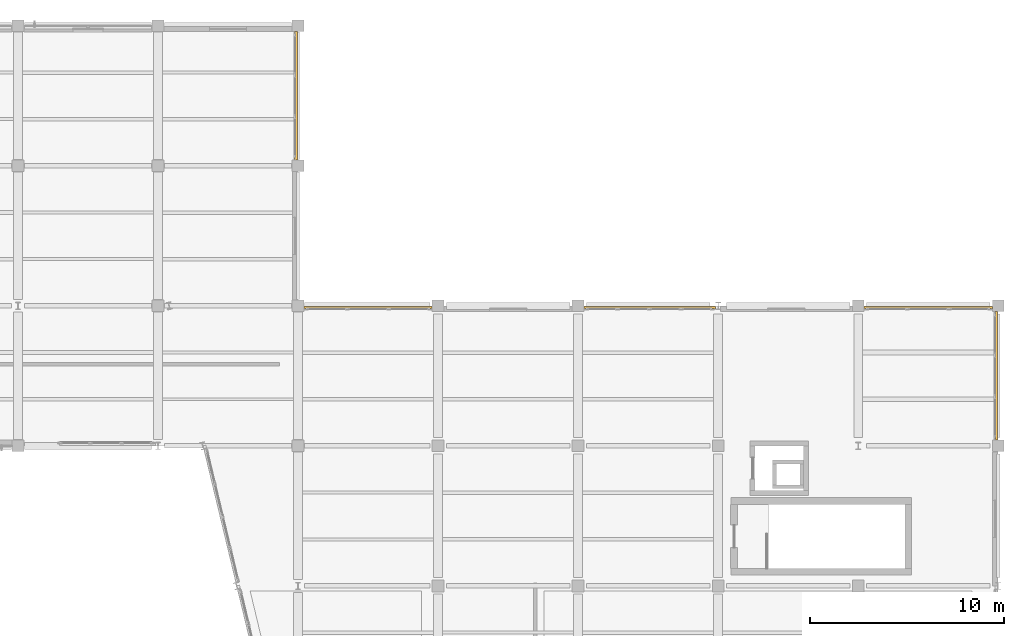
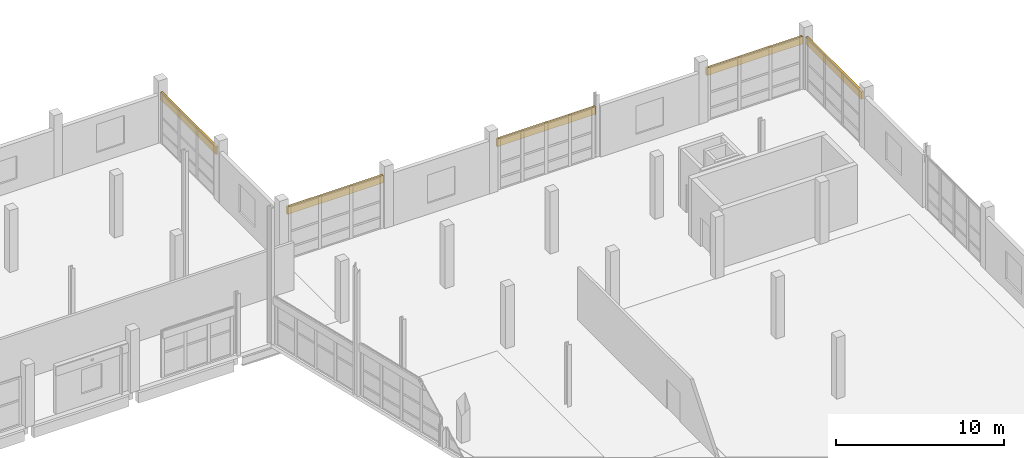
# One storey, part 123 of 123: 5 shading devices.
"""IFC4 building model written with IfcOpenShell, lengths in metres."""

import ifcopenshell
import ifcopenshell.guid

model = None  # the IFC model being written
_history = None  # IfcOwnerHistory: only IFC2X3 demands one
_inside = {}  # id of a spatial element -> (the spatial element, [elements in it])
_under = {}  # id of a project, library or spatial element -> (it, [spatial elements below it])
_declared = {}  # id of a project -> (the project, [libraries it declares])
_typed = {}  # id of a type object -> (the type object, [elements of that type])
_made_of = {}  # id of a material, layer set ... -> (it, [elements and type objects made of it])


def new_model(schema):
    """Start an empty IFC model of exactly this schema.

    Asked for "IFC4X3", IfcOpenShell would pick the latest addendum, in which some entities
    have other attributes; the version numbers below select the first issue.
    IFC2X3 requires an IfcOwnerHistory on every rooted entity: one is made here for all.
    """
    global model, _history
    if schema == "IFC4X3":
        model = ifcopenshell.file(schema_version=(4, 3, 0, 0))
    else:
        model = ifcopenshell.file(schema=schema)
    _inside.clear()
    _under.clear()
    _declared.clear()
    _typed.clear()
    _made_of.clear()
    _history = None
    if model.schema == "IFC2X3":
        org = make("IfcOrganization", Name="unknown")
        user = make(
            "IfcPersonAndOrganization",
            ThePerson=make("IfcPerson", FamilyName="unknown"),
            TheOrganization=org,
        )
        app = make(
            "IfcApplication",
            ApplicationDeveloper=org,
            Version="unknown",
            ApplicationFullName="unknown",
            ApplicationIdentifier="unknown",
        )
        _history = make(
            "IfcOwnerHistory",
            OwningUser=user,
            OwningApplication=app,
            ChangeAction="ADDED",
            CreationDate=0,
        )
    return model


def make(cls, **values):
    """One entity of the class cls with the attributes given. An attribute that is None is left unset."""
    return model.create_entity(
        cls, **{name: value for name, value in values.items() if value is not None}
    )


def rooted(cls, **values):
    """An entity with a GlobalId (a new one), such as an element, a storey or a relation."""
    return make(cls, GlobalId=ifcopenshell.guid.new(), OwnerHistory=_history, **values)


def si_unit(unit_type, name, prefix=None):
    """IfcSIUnit, for example si_unit("LENGTHUNIT", "METRE", prefix="MILLI")."""
    return make("IfcSIUnit", UnitType=unit_type, Prefix=prefix, Name=name)


def assignment(units):
    """IfcUnitAssignment: the units of a project."""
    return None if units is None else make("IfcUnitAssignment", Units=units)


def point(xyz):
    """IfcCartesianPoint."""
    return None if xyz is None else make("IfcCartesianPoint", Coordinates=xyz)


def direction(xyz):
    """IfcDirection."""
    return None if xyz is None else make("IfcDirection", DirectionRatios=xyz)


def frame(location, z_axis=None, x_axis=None):
    """IfcAxis2Placement3D, a coordinate frame: its origin and axes. An axis left out is left unset."""
    return make(
        "IfcAxis2Placement3D",
        Location=point(location),
        Axis=direction(z_axis),
        RefDirection=direction(x_axis),
    )


def frame_2d(location, x_axis=None):
    """IfcAxis2Placement2D, a coordinate frame in the plane: its origin and x axis."""
    return make(
        "IfcAxis2Placement2D", Location=point(location), RefDirection=direction(x_axis)
    )


def origin():
    """The frame at (0, 0, 0) with its axes left unset."""
    return frame((0.0, 0.0, 0.0))


def origin_2d():
    """The frame at (0, 0) in the plane with its x axis left unset."""
    return frame_2d((0.0, 0.0))


def place(relative_to, where):
    """IfcLocalPlacement: puts the frame where relative to a parent placement (None: the world)."""
    return make(
        "IfcLocalPlacement", PlacementRelTo=relative_to, RelativePlacement=where
    )


def context(
    kind, dimensions, precision=None, world=None, true_north=None, identifier=None
):
    """IfcGeometricRepresentationContext, for example the 3D "Model" context."""
    return make(
        "IfcGeometricRepresentationContext",
        ContextIdentifier=identifier,
        ContextType=kind,
        CoordinateSpaceDimension=dimensions,
        Precision=precision,
        WorldCoordinateSystem=world,
        TrueNorth=true_north,
    )


def subcontext(parent, identifier, kind, view, scale=None):
    """IfcGeometricRepresentationSubContext, for example "Body" below "Model"."""
    return make(
        "IfcGeometricRepresentationSubContext",
        ContextIdentifier=identifier,
        ContextType=kind,
        ParentContext=parent,
        TargetScale=scale,
        TargetView=view,
    )


def project(units=None, contexts=None):
    """IfcProject with its units and contexts."""
    return rooted(
        "IfcProject",
        Name="project",
        RepresentationContexts=contexts,
        UnitsInContext=assignment(units),
    )


def spatial(cls, under=None, at=None, **own):
    """A site, building, storey or space (cls), placed at a placement, below another one or the project."""
    s = rooted(cls, ObjectPlacement=at, **own)
    if under is not None:
        _under.setdefault(under.id(), (under, []))[1].append(s)
    return s


def profile(cls, at=None, kind="AREA", **sizes):
    """A parametric profile (cls). Its sizes go by their IFC names, for example OverallWidth=200.0."""
    return make(cls, ProfileType=kind, Position=at, **sizes)


def rectangle(**sizes):
    """IfcRectangleProfileDef."""
    return profile("IfcRectangleProfileDef", **sizes)


def extrude(swept, where, along, depth):
    """IfcExtrudedAreaSolid: the profile swept, set in the frame where, extruded along a direction by depth."""
    return make(
        "IfcExtrudedAreaSolid",
        SweptArea=swept,
        Position=where,
        ExtrudedDirection=direction(along),
        Depth=depth,
    )


def shape(context_of_items, identifier, shape_type, items):
    """IfcShapeRepresentation: the items that make up one representation, for example the "Body"."""
    return make(
        "IfcShapeRepresentation",
        ContextOfItems=context_of_items,
        RepresentationIdentifier=identifier,
        RepresentationType=shape_type,
        Items=items,
    )


def material(Name=None, Category=None):
    """IfcMaterial."""
    return make("IfcMaterial", Name=Name, Category=Category)


def layer(
    of_material, thickness, ventilated=None, Name=None, Category=None, Priority=None
):
    """IfcMaterialLayer: one layer of a wall or slab, of a material (None: an air gap)."""
    return make(
        "IfcMaterialLayer",
        Material=of_material,
        LayerThickness=thickness,
        IsVentilated=ventilated,
        Name=Name,
        Category=Category,
        Priority=Priority,
    )


def layer_set(layers, Name=None):
    """IfcMaterialLayerSet."""
    return make("IfcMaterialLayerSet", MaterialLayers=layers, LayerSetName=Name)


def made_of(thing, what):
    """Note that an element or type object is made of a material, layer set ...; save() writes the relation."""
    if what is not None:
        _made_of.setdefault(what.id(), (what, []))[1].append(thing)
    return thing


def type_object(cls, material=None, **own):
    """A type object (cls), such as IfcWallType, which elements share."""
    return made_of(rooted(cls, **own), material)


def element(
    cls,
    number,
    at=None,
    inside=None,
    cuts=None,
    type_object=None,
    material=None,
    context=None,
    identifier="Body",
    shape_type=None,
    held_by="IfcProductDefinitionShape",
    body=None,
    shapes=None,
    **own,
):
    """One element of the class cls, such as IfcWall. Its Tag is "e" and its number.

    at: its placement. inside: the storey or other place that contains it. cuts: it is an
    opening in that element (IfcRelVoidsElement). A single representation is given by context,
    identifier, shape_type and body (its items); several are given by shapes. held_by: the class
    of the entity that holds the representations. save() writes the other relations.
    """
    e = rooted(cls, Tag="e%d" % number, ObjectPlacement=at, **own)
    if body is not None:
        shapes = [shape(context, identifier, shape_type, body)]
    if shapes is not None:
        e.Representation = make(held_by, Representations=shapes)
    if inside is not None:
        _inside.setdefault(inside.id(), (inside, []))[1].append(e)
    if cuts is not None:
        rooted(
            "IfcRelVoidsElement", RelatingBuildingElement=cuts, RelatedOpeningElement=e
        )
    if type_object is not None:
        _typed.setdefault(type_object.id(), (type_object, []))[1].append(e)
    return made_of(e, material)


def aggregate(whole, parts):
    """IfcRelAggregates: a whole, such as a stair, and the parts it consists of."""
    return rooted("IfcRelAggregates", RelatingObject=whole, RelatedObjects=parts)


def save(model, path):
    """Write the relations noted so far, then the file.

    IfcRelAggregates (storeys below a building ...), IfcRelContainedInSpatialStructure (elements
    in a storey), IfcRelDefinesByType, IfcRelAssociatesMaterial and IfcRelDeclares: one each for
    every whole, place, type object, material and project.
    """
    for whole, parts in _under.values():
        aggregate(whole, parts)
    for where, things in _inside.values():
        rooted(
            "IfcRelContainedInSpatialStructure",
            RelatedElements=things,
            RelatingStructure=where,
        )
    for kind, things in _typed.values():
        rooted("IfcRelDefinesByType", RelatedObjects=things, RelatingType=kind)
    for what, things in _made_of.values():
        rooted("IfcRelAssociatesMaterial", RelatedObjects=things, RelatingMaterial=what)
    for by, libraries in _declared.values():
        rooted("IfcRelDeclares", RelatingContext=by, RelatedDefinitions=libraries)
    model.write(path)


model = new_model("IFC4")

# Units and contexts
model_context = context("Model", 3, precision=1e-05, world=origin(), true_north=direction((0.0, 1.0)))
body_context = subcontext(model_context, "Body", "Model", "MODEL_VIEW")
ifc_project = project(units=[si_unit("LENGTHUNIT", "METRE"), si_unit("AREAUNIT", "SQUARE_METRE"), si_unit("VOLUMEUNIT", "CUBIC_METRE"), si_unit("PLANEANGLEUNIT", "RADIAN"), si_unit("MASSUNIT", "GRAM", prefix="KILO")], contexts=[model_context])

# Site, building, storey
site_placement = place(None, origin())
site = spatial("IfcSite", under=ifc_project, at=site_placement, CompositionType="ELEMENT")
building_placement = place(site_placement, origin())
building = spatial("IfcBuilding", under=site, at=building_placement, Name="Kalmorath City Hall", CompositionType="ELEMENT")
storey_placement = place(building_placement, frame((0.0, 0.0, 10.199951171875)))
storey = spatial("IfcBuildingStorey", under=building, at=storey_placement, Name="L02", CompositionType="ELEMENT", Elevation=10.199951171875)

# Shading devices
ifc_material = material(Name="Bronze anodised storm louvre")
ifc_layer = layer(ifc_material, 0.139892578125)
ifc_layer_set = layer_set([ifc_layer], Name="Bronze anodised storm louvre")
shading_device_type = type_object("IfcShadingDeviceType", Name="Hurricane bronze storm louvre bank", PredefinedType="JALOUSIE", material=ifc_layer_set)
for number, where, z_axis, x_axis, name in (
    (1, (129.5, 111.60009765625, 3.12109375), (0.0, 0.0, 1.0), (0.0, -1.0, 0.0), "L02 library storm louvre #238"),
    (2, (133.199951171875, 100.699951171875, 3.26025390625), (0.0, 0.0, 1.0), (1.0, 0.0, 0.0), "L02 library storm louvre #239"),
):
    element("IfcShadingDevice", number, at=place(storey_placement, frame(where, z_axis=z_axis, x_axis=x_axis)), inside=storey, type_object=shading_device_type, Name=name, PredefinedType="JALOUSIE", context=body_context, shape_type="SweptSolid", body=[
        extrude(rectangle(XDim=6.597900390625, YDim=0.139892578125, at=origin_2d()), origin(), (0.0, 0.0, 1.0), 0.550048828125),
    ])
shading_device_placement = place(storey_placement, frame((147.6865234375, 100.699951171875, 3.14013671875), z_axis=(0.0, 0.0, 1.0), x_axis=(1.0, 0.0, 0.0)))
element("IfcShadingDevice", 3, at=shading_device_placement, inside=storey, type_object=shading_device_type, Name="L02 library storm louvre #240", PredefinedType="JALOUSIE", context=body_context, shape_type="SweptSolid", body=[
    extrude(rectangle(XDim=6.77099609375, YDim=0.139892578125, at=origin_2d()), origin(), (0.0, 0.0, 1.0), 0.550048828125),
])
for number, where, z_axis, x_axis, name in (
    (4, (162.0, 100.699951171875, 3.26025390625), (0.0, 0.0, 1.0), (1.0, 0.0, 0.0), "L02 library storm louvre #241"),
    (5, (165.5, 97.199951171875, 3.26025390625), (0.0, 0.0, 1.0), (0.0, -1.0, 0.0), "L02 library storm louvre #242"),
):
    element("IfcShadingDevice", number, at=place(storey_placement, frame(where, z_axis=z_axis, x_axis=x_axis)), inside=storey, type_object=shading_device_type, Name=name, PredefinedType="JALOUSIE", context=body_context, shape_type="SweptSolid", body=[
        extrude(rectangle(XDim=6.597900390625, YDim=0.139892578125, at=origin_2d()), origin(), (0.0, 0.0, 1.0), 0.550048828125),
    ])

save(model, "model.ifc")
